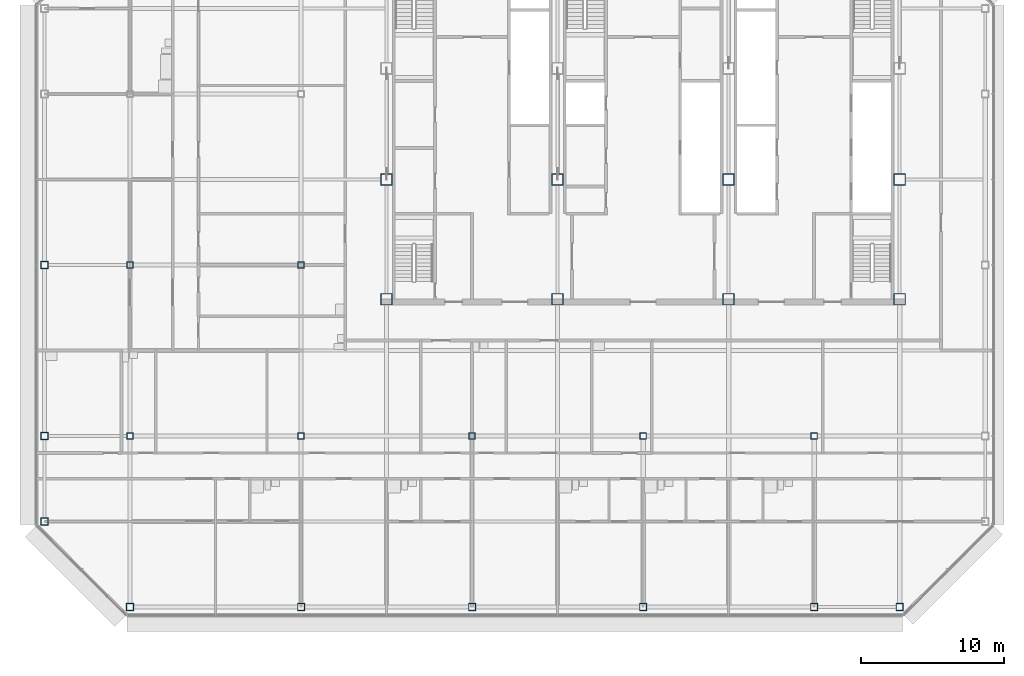
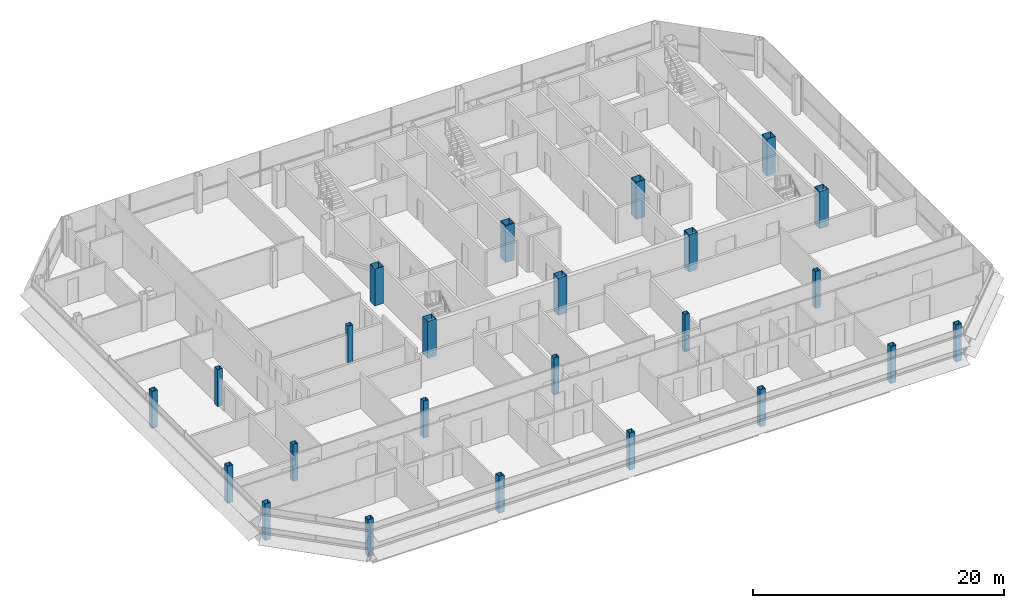
# One storey, part 1 of 28: 24 columns.
"""IFC4 building model written with IfcOpenShell, lengths in metres."""

from ifc_helpers import new_model, si_unit, direction, frame, origin, origin_2d, place, context, subcontext, project, spatial, hollow_rectangle, extrude, material, material_profile, profile_set, type_object, element, save


model = new_model("IFC4")

# Units and contexts
model_context = context("Model", 3, precision=1e-05, world=origin(), true_north=direction((0.0, 1.0)))
body_context = subcontext(model_context, "Body", "Model", "MODEL_VIEW")
ifc_project = project(units=[si_unit("LENGTHUNIT", "METRE"), si_unit("AREAUNIT", "SQUARE_METRE"), si_unit("VOLUMEUNIT", "CUBIC_METRE"), si_unit("PLANEANGLEUNIT", "RADIAN"), si_unit("MASSUNIT", "GRAM", prefix="KILO")], contexts=[model_context])

# Site, building, storey
site_placement = place(None, origin())
site = spatial("IfcSite", under=ifc_project, at=site_placement, CompositionType="ELEMENT")
building_placement = place(site_placement, origin())
building = spatial("IfcBuilding", under=site, at=building_placement, Name="Sorahane Residences", CompositionType="ELEMENT")
storey_placement = place(building_placement, frame((0.0, 0.0, 308.800048828125)))
storey = spatial("IfcBuildingStorey", under=building, at=storey_placement, Name="L73", CompositionType="ELEMENT", Elevation=308.800048828125)

# Columns
ifc_material_1 = material(Name="Steel Q355B", Category="steel")
ifc_material_profile_1 = material_profile(ifc_material_1, hollow_rectangle(XDim=0.449951171875, YDim=0.449951171875, WallThickness=0.02197265625, at=origin_2d()), Name="BOX 450x450x22")
ifc_profile_set_1 = profile_set([ifc_material_profile_1], Name="Steel Q355B")
column_type_1 = type_object("IfcColumnType", Name="Steel box column BOX 450x450x22 Q355B", PredefinedType="COLUMN", material=ifc_profile_set_1)
for number, where, z_axis, x_axis, name in (
    (1, (-12.0, 12.0, 0.0), (0.0, 0.0, 1.0), (1.0, 0.0, 0.0), "Column L73 m12/12"),
    (2, (-12.0, 24.0, 0.0), (0.0, 0.0, 1.0), (1.0, 0.0, 0.0), "Column L73 m12/24"),
    (3, (0.0, 12.0, 0.0), (0.0, 0.0, 1.0), (1.0, 0.0, 0.0), "Column L73 0/12"),
    (4, (0.0, 24.0, 0.0), (0.0, 0.0, 1.0), (1.0, 0.0, 0.0), "Column L73 0/24"),
    (5, (12.0, 12.0, 0.0), (0.0, 0.0, 1.0), (1.0, 0.0, 0.0), "Column L73 12/12"),
    (6, (24.0, 12.0, 0.0), (0.0, 0.0, 1.0), (1.0, 0.0, 0.0), "Column L73 24/12"),
    (7, (36.0, 12.0, 0.0), (0.0, 0.0, 1.0), (1.0, 0.0, 0.0), "Column L73 36/12"),
):
    element("IfcColumn", number, at=place(storey_placement, frame(where, z_axis=z_axis, x_axis=x_axis)), inside=storey, type_object=column_type_1, Name=name, PredefinedType="COLUMN", context=body_context, shape_type="SweptSolid", body=[
        extrude(hollow_rectangle(XDim=0.449951171875, YDim=0.449951171875, WallThickness=0.02197265625, at=origin_2d()), origin(), (0.0, 0.0, 1.0), 3.599853515625),
    ])
ifc_material_2 = material(Name="Steel Q355B", Category="steel")
ifc_material_profile_2 = material_profile(ifc_material_2, hollow_rectangle(XDim=0.5, YDim=0.5, WallThickness=0.02490234375, at=origin_2d()), Name="BOX 500x500x25")
ifc_profile_set_2 = profile_set([ifc_material_profile_2], Name="Steel Q355B")
column_type_2 = type_object("IfcColumnType", Name="Steel box column BOX 500x500x25 Q355B", PredefinedType="COLUMN", material=ifc_profile_set_2)
for number, where, z_axis, x_axis, name in (
    (8, (-18.0, 6.0, 0.0), (0.0, 0.0, 1.0), (1.0, 0.0, 0.0), "Column L73 m18/6"),
    (9, (-18.0, 12.0, 0.0), (0.0, 0.0, 1.0), (1.0, 0.0, 0.0), "Column L73 m18/12"),
    (10, (-18.0, 24.0, 0.0), (0.0, 0.0, 1.0), (1.0, 0.0, 0.0), "Column L73 m18/24"),
    (11, (-12.0, 0.0, 0.0), (0.0, 0.0, 1.0), (1.0, 0.0, 0.0), "Column L73 m12/0"),
    (12, (0.0, 0.0, 0.0), (0.0, 0.0, 1.0), (1.0, 0.0, 0.0), "Column L73 0/0"),
    (13, (12.0, 0.0, 0.0), (0.0, 0.0, 1.0), (1.0, 0.0, 0.0), "Column L73 12/0"),
    (14, (24.0, 0.0, 0.0), (0.0, 0.0, 1.0), (1.0, 0.0, 0.0), "Column L73 24/0"),
    (15, (36.0, 0.0, 0.0), (0.0, 0.0, 1.0), (1.0, 0.0, 0.0), "Column L73 36/0"),
    (16, (42.0, 0.0, 0.0), (0.0, 0.0, 1.0), (1.0, 0.0, 0.0), "Column L73 42/0"),
):
    element("IfcColumn", number, at=place(storey_placement, frame(where, z_axis=z_axis, x_axis=x_axis)), inside=storey, type_object=column_type_2, Name=name, PredefinedType="COLUMN", context=body_context, shape_type="SweptSolid", body=[
        extrude(hollow_rectangle(XDim=0.5, YDim=0.5, WallThickness=0.02490234375, at=origin_2d()), origin(), (0.0, 0.0, 1.0), 3.599853515625),
    ])
ifc_material_3 = material(Name="Steel Q355B", Category="steel")
ifc_material_profile_3 = material_profile(ifc_material_3, hollow_rectangle(XDim=0.800048828125, YDim=0.800048828125, WallThickness=0.02490234375, at=origin_2d()), Name="BOX 800x800x25")
ifc_profile_set_3 = profile_set([ifc_material_profile_3], Name="Steel Q355B")
column_type_3 = type_object("IfcColumnType", Name="Steel box column BOX 800x800x25 Q355B", PredefinedType="COLUMN", material=ifc_profile_set_3)
for number, where, z_axis, x_axis, name in (
    (17, (6.0, 21.60009765625, 0.0), (0.0, 0.0, 1.0), (1.0, 0.0, 0.0), "Column L73 6/21.6"),
    (18, (6.0, 30.0, 0.0), (0.0, 0.0, 1.0), (1.0, 0.0, 0.0), "Column L73 6/30"),
    (19, (18.0, 21.60009765625, 0.0), (0.0, 0.0, 1.0), (1.0, 0.0, 0.0), "Column L73 18/21.6"),
    (20, (18.0, 30.0, 0.0), (0.0, 0.0, 1.0), (1.0, 0.0, 0.0), "Column L73 18/30"),
    (21, (30.0, 21.60009765625, 0.0), (0.0, 0.0, 1.0), (1.0, 0.0, 0.0), "Column L73 30/21.6"),
    (22, (30.0, 30.0, 0.0), (0.0, 0.0, 1.0), (1.0, 0.0, 0.0), "Column L73 30/30"),
    (23, (42.0, 21.60009765625, 0.0), (0.0, 0.0, 1.0), (1.0, 0.0, 0.0), "Column L73 42/21.6"),
    (24, (42.0, 30.0, 0.0), (0.0, 0.0, 1.0), (1.0, 0.0, 0.0), "Column L73 42/30"),
):
    element("IfcColumn", number, at=place(storey_placement, frame(where, z_axis=z_axis, x_axis=x_axis)), inside=storey, type_object=column_type_3, Name=name, PredefinedType="COLUMN", context=body_context, shape_type="SweptSolid", body=[
        extrude(hollow_rectangle(XDim=0.800048828125, YDim=0.800048828125, WallThickness=0.02490234375, at=origin_2d()), origin(), (0.0, 0.0, 1.0), 3.599853515625),
    ])

save(model, "model.ifc")
